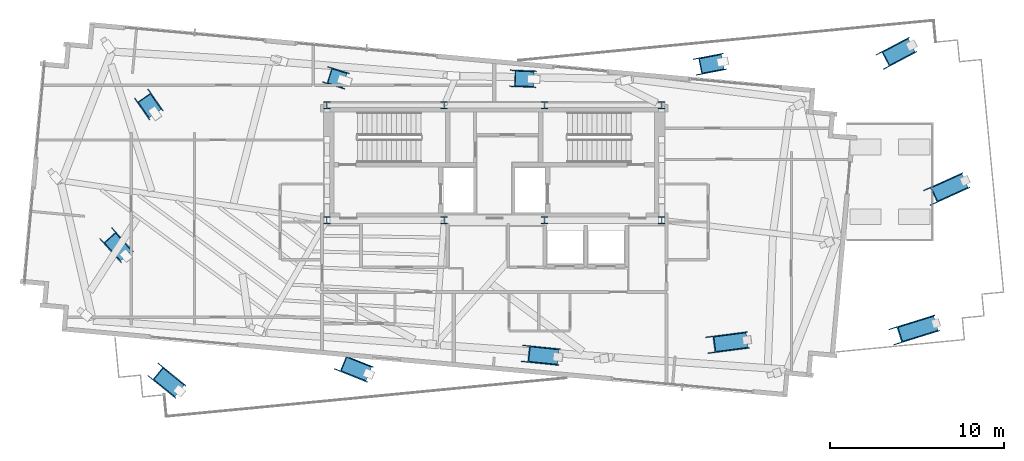
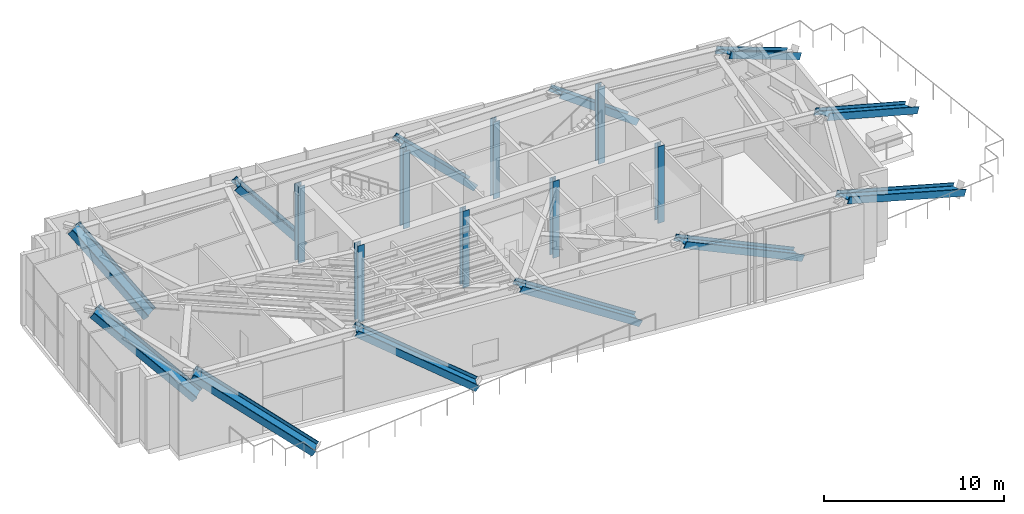
# One storey, part 1 of 20: 20 columns.
"""IFC4 building model written with IfcOpenShell, lengths in metres."""

from ifc_helpers import new_model, si_unit, direction, frame, origin, origin_2d, place, context, subcontext, project, spatial, i_section, extrude, source, transform, mapped, material, material_profile, profile_set, type_object, type_shapes, element, save


model = new_model("IFC4")

# Units and contexts
model_context = context("Model", 3, precision=1e-05, world=origin(), true_north=direction((0.0, 1.0)))
body_context = subcontext(model_context, "Body", "Model", "MODEL_VIEW")
ifc_project = project(units=[si_unit("LENGTHUNIT", "METRE"), si_unit("AREAUNIT", "SQUARE_METRE"), si_unit("VOLUMEUNIT", "CUBIC_METRE"), si_unit("PLANEANGLEUNIT", "RADIAN"), si_unit("MASSUNIT", "GRAM", prefix="KILO")], contexts=[model_context])

# Site, building, storey
site_placement = place(None, origin())
site = spatial("IfcSite", under=ifc_project, at=site_placement, CompositionType="ELEMENT")
building_placement = place(site_placement, origin())
building = spatial("IfcBuilding", under=site, at=building_placement, Name="Astriad Promenade Condominiums", CompositionType="ELEMENT")
storey_placement = place(building_placement, frame((0.0, 0.0, 211.39990234375)))
storey = spatial("IfcBuildingStorey", under=building, at=storey_placement, Name="L61", CompositionType="ELEMENT", Elevation=211.39990234375)

# Columns
ifc_material = material(Name="Steel ASTM A992 Grade 50", Category="steel")
ifc_material_profile_1 = material_profile(ifc_material, i_section(OverallWidth=0.4091796875, OverallDepth=0.42529296875, WebThickness=0.03271484375, FlangeThickness=0.052490234375, FilletRadius=0.017822265625, at=origin_2d()), Name="W14X283")
ifc_profile_set_1 = profile_set([ifc_material_profile_1], Name="Steel ASTM A992 Grade 50")
column_type_1 = type_object("IfcColumnType", Name="STEEL CORE PILASTER W14X283", PredefinedType="PILASTER", material=ifc_profile_set_1)
shared_shape_1 = source(origin(), body_context, "Body", "SweptSolid", [
    extrude(i_section(OverallWidth=0.4091796875, OverallDepth=0.42529296875, WebThickness=0.03271484375, FlangeThickness=0.052490234375, FilletRadius=0.017822265625, at=origin_2d()), origin(), (0.0, 0.0, 1.0), 5.19580078125),
])
type_shapes(column_type_1, [shared_shape_1])
for number, where, z_axis, x_axis, name in (
    (1, (26.39990234375, 17.39990234375, 0.002197265625), (0.0, 0.0, 1.0), (1.0, 0.0, 0.0), "Core Pilaster Column CP1 (L61)"),
    (2, (33.1201171875, 17.39990234375, 0.002197265625), (0.0, 0.0, 1.0), (1.0, 0.0, 0.0), "Core Pilaster Column CP2 (L61)"),
    (3, (38.8798828125, 17.39990234375, 0.002197265625), (0.0, 0.0, 1.0), (1.0, 0.0, 0.0), "Core Pilaster Column CP3 (L61)"),
    (4, (45.60009765625, 17.39990234375, 0.002197265625), (0.0, 0.0, 1.0), (1.0, 0.0, 0.0), "Core Pilaster Column CP4 (L61)"),
    (5, (26.39990234375, 24.0, 0.002197265625), (0.0, 0.0, 1.0), (1.0, 0.0, 0.0), "Core Pilaster Column CP5 (L61)"),
    (6, (33.1201171875, 24.0, 0.002197265625), (0.0, 0.0, 1.0), (1.0, 0.0, 0.0), "Core Pilaster Column CP6 (L61)"),
    (7, (38.8798828125, 24.0, 0.002197265625), (0.0, 0.0, 1.0), (1.0, 0.0, 0.0), "Core Pilaster Column CP7 (L61)"),
    (8, (45.60009765625, 24.0, 0.002197265625), (0.0, 0.0, 1.0), (1.0, 0.0, 0.0), "Core Pilaster Column CP8 (L61)"),
):
    element("IfcColumn", number, at=place(storey_placement, frame(where, z_axis=z_axis, x_axis=x_axis)), inside=storey, type_object=column_type_1, Name=name, PredefinedType="PILASTER", context=body_context, shape_type="MappedRepresentation", body=[
        mapped(shared_shape_1, transform((0.0, 0.0, 0.0), scale=1.0)),
    ])
ifc_material_profile_2 = material_profile(ifc_material, i_section(OverallWidth=0.427490234375, OverallDepth=0.9755859375, WebThickness=0.031005859375, FlangeThickness=0.055908203125, FilletRadius=0.024169921875, at=origin_2d()), Name="W36X395")
ifc_profile_set_2 = profile_set([ifc_material_profile_2], Name="Steel ASTM A992 Grade 50")
column_type_2 = type_object("IfcColumnType", Name="STEEL RAKING MEGA COLUMN W36X395", PredefinedType="COLUMN", material=ifc_profile_set_2)
shared_shape_2 = source(origin(), body_context, "Body", "SweptSolid", [
    extrude(i_section(OverallWidth=0.427490234375, OverallDepth=0.9755859375, WebThickness=0.031005859375, FlangeThickness=0.055908203125, FilletRadius=0.024169921875, at=origin_2d()), origin(), (0.0, 0.0, 1.0), 8.1396484375),
])
column_1_placement = place(storey_placement, frame((17.93701171875, 7.606201171875, 0.19189453125), z_axis=(-0.653938069149, 0.5297612227, 0.540109293237), x_axis=(0.41967701375, -0.339984194884, 0.841594885535)))
element("IfcColumn", 9, at=column_1_placement, inside=storey, type_object=column_type_2, Name="Raking Mega-Strut Column PC01 (L61)", PredefinedType="COLUMN", context=body_context, shape_type="MappedRepresentation", body=[
    mapped(shared_shape_2, transform((0.0, 0.0, 0.0), scale=1.0)),
])
shared_shape_3 = source(origin(), body_context, "Body", "SweptSolid", [
    extrude(i_section(OverallWidth=0.427490234375, OverallDepth=0.9755859375, WebThickness=0.031005859375, FlangeThickness=0.055908203125, FilletRadius=0.024169921875, at=origin_2d()), origin(), (0.0, 0.0, 1.0), 8.072021484375),
])
column_2_placement = place(storey_placement, frame((28.7958984375, 8.5771484375, 0.19140625), z_axis=(-0.778187748082, 0.312466773891, 0.544782841092), x_axis=(0.50555077301, -0.202994482334, 0.838577161656)))
element("IfcColumn", 10, at=column_2_placement, inside=storey, type_object=column_type_2, Name="Raking Mega-Strut Column PC02 (L61)", PredefinedType="COLUMN", context=body_context, shape_type="MappedRepresentation", body=[
    mapped(shared_shape_3, transform((0.0, 0.0, 0.0), scale=1.0)),
])
shared_shape_4 = source(origin(), body_context, "Body", "SweptSolid", [
    extrude(i_section(OverallWidth=0.427490234375, OverallDepth=0.9755859375, WebThickness=0.031005859375, FlangeThickness=0.055908203125, FilletRadius=0.024169921875, at=origin_2d()), origin(), (0.0, 0.0, 1.0), 8.4873046875),
])
column_3_placement = place(storey_placement, frame((39.64794921875, 9.54931640625, 0.195068359375), z_axis=(-0.85149277394, 0.086009371105, 0.51726438502), x_axis=(0.514645573214, -0.051984401335, 0.855825657473)))
element("IfcColumn", 11, at=column_3_placement, inside=storey, type_object=column_type_2, Name="Raking Mega-Strut Column PC03 (L61)", PredefinedType="COLUMN", context=body_context, shape_type="MappedRepresentation", body=[
    mapped(shared_shape_4, transform((0.0, 0.0, 0.0), scale=1.0)),
])
shared_shape_5 = source(origin(), body_context, "Body", "SweptSolid", [
    extrude(i_section(OverallWidth=0.427490234375, OverallDepth=0.9755859375, WebThickness=0.031005859375, FlangeThickness=0.055908203125, FilletRadius=0.024169921875, at=origin_2d()), origin(), (0.0, 0.0, 1.0), 9.3212890625),
])
column_4_placement = place(storey_placement, frame((50.494384765625, 10.51806640625, 0.20068359375), z_axis=(-0.87551198847, -0.113200790205, 0.46974923006), x_axis=(0.465871238968, 0.060235602801, 0.882799898538)))
element("IfcColumn", 12, at=column_4_placement, inside=storey, type_object=column_type_2, Name="Raking Mega-Strut Column PC04 (L61)", PredefinedType="COLUMN", context=body_context, shape_type="MappedRepresentation", body=[
    mapped(shared_shape_5, transform((0.0, 0.0, 0.0), scale=1.0)),
])
shared_shape_6 = source(origin(), body_context, "Body", "SweptSolid", [
    extrude(i_section(OverallWidth=0.427490234375, OverallDepth=0.9755859375, WebThickness=0.031005859375, FlangeThickness=0.055908203125, FilletRadius=0.024169921875, at=origin_2d()), origin(), (0.0, 0.0, 1.0), 10.474853515625),
])
column_5_placement = place(storey_placement, frame((61.33837890625, 11.482177734375, 0.206298828125), z_axis=(-0.867809442626, -0.270297480894, 0.416948489757), x_axis=(0.398085430207, 0.12399206978, 0.908930116615)))
element("IfcColumn", 13, at=column_5_placement, inside=storey, type_object=column_type_2, Name="Raking Mega-Strut Column PC05 (L61)", PredefinedType="COLUMN", context=body_context, shape_type="MappedRepresentation", body=[
    mapped(shared_shape_6, transform((0.0, 0.0, 0.0), scale=1.0)),
])
shared_shape_7 = source(origin(), body_context, "Body", "SweptSolid", [
    extrude(i_section(OverallWidth=0.427490234375, OverallDepth=0.9755859375, WebThickness=0.031005859375, FlangeThickness=0.055908203125, FilletRadius=0.024169921875, at=origin_2d()), origin(), (0.0, 0.0, 1.0), 6.430908203125),
])
column_6_placement = place(storey_placement, frame((16.532958984375, 23.52685546875, 0.16650390625), z_axis=(-0.412482054012, 0.592964307558, 0.691557579005), x_axis=(0.39491439026, -0.567709881405, 0.722321337716)))
element("IfcColumn", 14, at=column_6_placement, inside=storey, type_object=column_type_2, Name="Raking Mega-Strut Column PC06 (L61)", PredefinedType="COLUMN", context=body_context, shape_type="MappedRepresentation", body=[
    mapped(shared_shape_7, transform((0.0, 0.0, 0.0), scale=1.0)),
])
shared_shape_8 = source(origin(), body_context, "Body", "SweptSolid", [
    extrude(i_section(OverallWidth=0.427490234375, OverallDepth=0.9755859375, WebThickness=0.031005859375, FlangeThickness=0.055908203125, FilletRadius=0.024169921875, at=origin_2d()), origin(), (0.0, 0.0, 1.0), 5.884765625),
])
column_7_placement = place(storey_placement, frame((27.4091796875, 25.41796875, 0.150634765625), z_axis=(-0.619606937299, 0.191959912881, 0.761077285889), x_axis=(0.7269877698, -0.225227479803, 0.648661209649)))
element("IfcColumn", 15, at=column_7_placement, inside=storey, type_object=column_type_2, Name="Raking Mega-Strut Column PC07 (L61)", PredefinedType="COLUMN", context=body_context, shape_type="MappedRepresentation", body=[
    mapped(shared_shape_8, transform((0.0, 0.0, 0.0), scale=1.0)),
])
shared_shape_9 = source(origin(), body_context, "Body", "SweptSolid", [
    extrude(i_section(OverallWidth=0.427490234375, OverallDepth=0.9755859375, WebThickness=0.031005859375, FlangeThickness=0.055908203125, FilletRadius=0.024169921875, at=origin_2d()), origin(), (0.0, 0.0, 1.0), 6.39501953125),
])
column_8_placement = place(storey_placement, frame((38.260498046875, 25.490234375, 0.165771484375), z_axis=(-0.717757295801, 0.029854061237, 0.69565307399), x_axis=(0.695052106108, -0.028909672197, 0.718377895434)))
element("IfcColumn", 16, at=column_8_placement, inside=storey, type_object=column_type_2, Name="Raking Mega-Strut Column PC08 (L61)", PredefinedType="COLUMN", context=body_context, shape_type="MappedRepresentation", body=[
    mapped(shared_shape_9, transform((0.0, 0.0, 0.0), scale=1.0)),
])
shared_shape_10 = source(origin(), body_context, "Body", "SweptSolid", [
    extrude(i_section(OverallWidth=0.427490234375, OverallDepth=0.9755859375, WebThickness=0.031005859375, FlangeThickness=0.055908203125, FilletRadius=0.024169921875, at=origin_2d()), origin(), (0.0, 0.0, 1.0), 7.15283203125),
])
column_9_placement = place(storey_placement, frame((49.10595703125, 26.4892578125, 0.18017578125), z_axis=(-0.771990042934, -0.149018857876, 0.61791969835), x_axis=(0.606719472398, 0.117116332854, 0.786241213872)))
element("IfcColumn", 17, at=column_9_placement, inside=storey, type_object=column_type_2, Name="Raking Mega-Strut Column PC09 (L61)", PredefinedType="COLUMN", context=body_context, shape_type="MappedRepresentation", body=[
    mapped(shared_shape_10, transform((0.0, 0.0, 0.0), scale=1.0)),
])
shared_shape_11 = source(origin(), body_context, "Body", "SweptSolid", [
    extrude(i_section(OverallWidth=0.427490234375, OverallDepth=0.9755859375, WebThickness=0.031005859375, FlangeThickness=0.055908203125, FilletRadius=0.024169921875, at=origin_2d()), origin(), (0.0, 0.0, 1.0), 8.498291015625),
])
column_10_placement = place(storey_placement, frame((59.9443359375, 27.431640625, 0.195068359375), z_axis=(-0.757792414849, -0.398603751461, 0.516590461893), x_axis=(0.457198576371, 0.240489432373, 0.856232617156)))
element("IfcColumn", 18, at=column_10_placement, inside=storey, type_object=column_type_2, Name="Raking Mega-Strut Column PC10 (L61)", PredefinedType="COLUMN", context=body_context, shape_type="MappedRepresentation", body=[
    mapped(shared_shape_11, transform((0.0, 0.0, 0.0), scale=1.0)),
])
shared_shape_12 = source(origin(), body_context, "Body", "SweptSolid", [
    extrude(i_section(OverallWidth=0.427490234375, OverallDepth=0.9755859375, WebThickness=0.031005859375, FlangeThickness=0.055908203125, FilletRadius=0.024169921875, at=origin_2d()), origin(), (0.0, 0.0, 1.0), 7.4365234375),
])
column_11_placement = place(storey_placement, frame((14.865478515625, 15.359130859375, 0.18408203125), z_axis=(-0.53624427181, 0.600393978381, 0.593269880977), x_axis=(0.395200173603, -0.442477089191, 0.805003632492)))
element("IfcColumn", 19, at=column_11_placement, inside=storey, type_object=column_type_2, Name="Raking Mega-Strut Column PC11 (L61)", PredefinedType="COLUMN", context=body_context, shape_type="MappedRepresentation", body=[
    mapped(shared_shape_12, transform((0.0, 0.0, 0.0), scale=1.0)),
])
shared_shape_13 = source(origin(), body_context, "Body", "SweptSolid", [
    extrude(i_section(OverallWidth=0.427490234375, OverallDepth=0.9755859375, WebThickness=0.031005859375, FlangeThickness=0.055908203125, FilletRadius=0.024169921875, at=origin_2d()), origin(), (0.0, 0.0, 1.0), 9.577880859375),
])
type_shapes(column_type_2, [shared_shape_2, shared_shape_3, shared_shape_4, shared_shape_5, shared_shape_6, shared_shape_7, shared_shape_8, shared_shape_9, shared_shape_10, shared_shape_11, shared_shape_12, shared_shape_13])
column_12_placement = place(storey_placement, frame((63.009521484375, 19.664794921875, 0.202392578125), z_axis=(-0.810430605075, -0.366750819206, 0.456832650945), x_axis=(0.416199264808, 0.18834607228, 0.889552656693)))
element("IfcColumn", 20, at=column_12_placement, inside=storey, type_object=column_type_2, Name="Raking Mega-Strut Column PC12 (L61)", PredefinedType="COLUMN", context=body_context, shape_type="MappedRepresentation", body=[
    mapped(shared_shape_13, transform((0.0, 0.0, 0.0), scale=1.0)),
])

save(model, "model.ifc")
